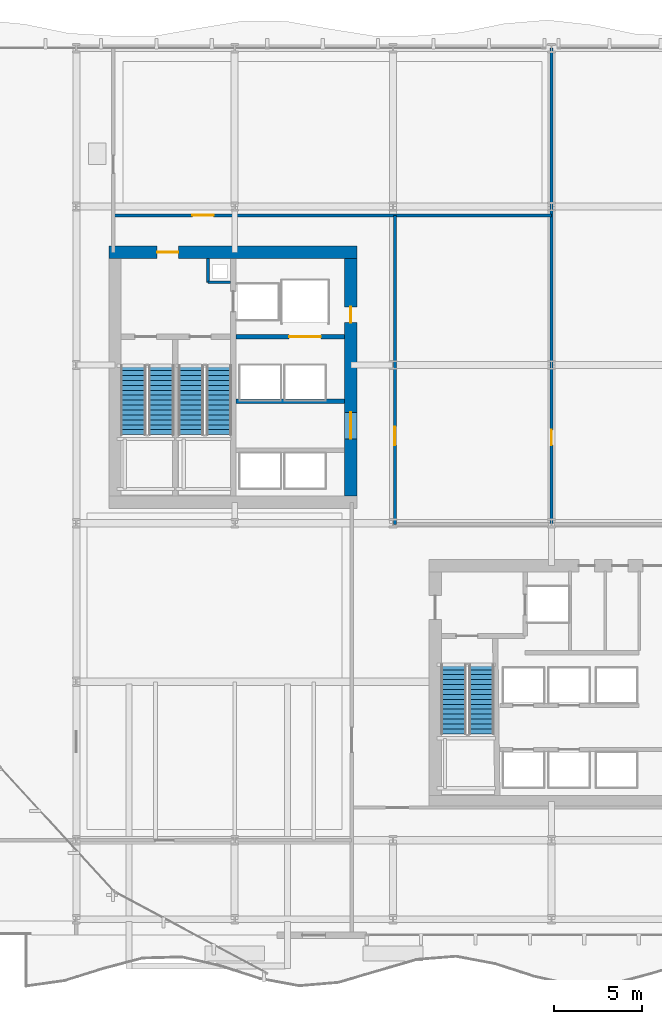
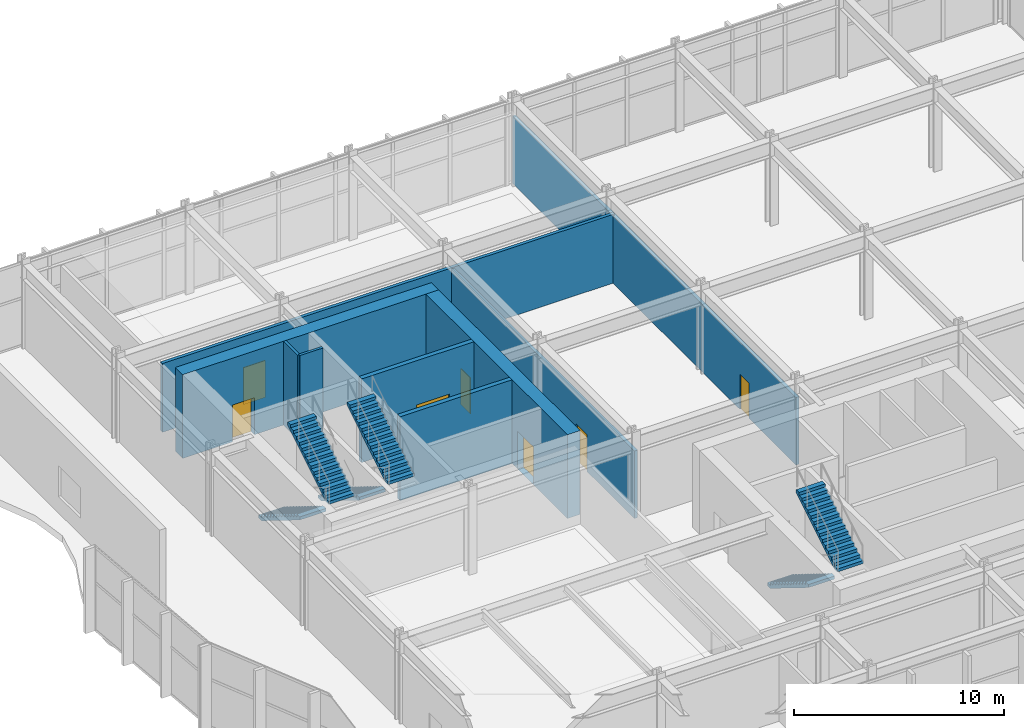
# One storey, part 24 of 31: 9 walls, 7 doors, 6 stair flights, 7 openings, 3 elements without a shape of their own.
"""IFC4 building model written with IfcOpenShell, lengths in metres."""

from ifc_helpers import new_model, si_unit, direction, frame, frame_2d, origin, place, context, subcontext, project, spatial, polyline, rectangle, outline, extrude, material, layer, layer_set, type_object, element, fill, aggregate, save


model = new_model("IFC4")

# Units and contexts
model_context = context("Model", 3, precision=1e-05, world=origin(), true_north=direction((0.0, 1.0)))
body_context = subcontext(model_context, "Body", "Model", "MODEL_VIEW")
ifc_project = project(units=[si_unit("LENGTHUNIT", "METRE"), si_unit("AREAUNIT", "SQUARE_METRE"), si_unit("VOLUMEUNIT", "CUBIC_METRE"), si_unit("PLANEANGLEUNIT", "RADIAN"), si_unit("MASSUNIT", "GRAM", prefix="KILO")], contexts=[model_context])

# Site, building, storey
site_placement = place(None, origin())
site = spatial("IfcSite", under=ifc_project, at=site_placement, CompositionType="ELEMENT")
building_placement = place(site_placement, origin())
building = spatial("IfcBuilding", under=site, at=building_placement, Name="Solvaryn Broadcast Tower", CompositionType="ELEMENT")
storey_placement = place(building_placement, frame((0.0, 0.0, 11.0)))
storey = spatial("IfcBuildingStorey", under=building, at=storey_placement, Name="L02", CompositionType="ELEMENT", Elevation=11.0)

# Wall, opening, door
ifc_material_1 = material(Name="Concrete f'c 70 MPa", Category="concrete")
ifc_layer_1 = layer(ifc_material_1, 0.699951171875)
ifc_layer_set_1 = layer_set([ifc_layer_1], Name="CW-SHEAR-700")
wall_type_1 = type_object("IfcWallType", Name="CW-SHEAR-700", PredefinedType="SHEAR", material=ifc_layer_set_1)
wall_1_placement = place(storey_placement, frame((24.949951171875, 42.39990234375, 0.0), z_axis=(0.0, 0.0, 1.0), x_axis=(-1.0, 0.0, 0.0)))
wall_1 = element("IfcWall", 1, at=wall_1_placement, inside=storey, type_object=wall_type_1, Name="L02 West Core North Shear Wall", PredefinedType="SHEAR", context=body_context, shape_type="SweptSolid", body=[
    extrude(rectangle(XDim=14.099853515625, YDim=0.699951171875, at=frame_2d((7.0498046875, 0.0))), origin(), (0.0, 0.0, 1.0), 4.8798828125),
])
opening_1_placement = place(wall_1_placement, frame((10.14990234375, 0.0, 0.0)))
opening_1 = element("IfcOpeningElement", 2, at=opening_1_placement, cuts=wall_1, Name="Opening FD90A", PredefinedType="OPENING", context=body_context, shape_type="SweptSolid", body=[
    extrude(rectangle(XDim=1.199951171875, YDim=2.14990234375, at=frame_2d((0.60009765625, 1.074951171875))), frame((0.0, 0.360107421875, 0.0), z_axis=(0.0, -1.0, 0.0), x_axis=(1.0, 0.0, 0.0)), (0.0, 0.0, 1.0), 0.719970703125),
])
ifc_material_2 = material(Name="Flush Acoustic Steel and Timber Door Assembly", Category="steel")
door_type_1 = type_object("IfcDoorType", Name="FD90-STAIR-1200X2150", OperationType="NOTDEFINED", PredefinedType="DOOR", material=ifc_material_2)
door_1_placement = place(opening_1_placement, origin())
door_1 = element("IfcDoor", 3, at=door_1_placement, inside=storey, type_object=door_type_1, Name="L02 West FSAE Lobby Corridor Door", OperationType="SINGLE_SWING_LEFT", OverallHeight=2.14990234375, OverallWidth=1.199951171875, PredefinedType="DOOR", context=body_context, shape_type="SweptSolid", body=[
    extrude(rectangle(XDim=1.199951171875, YDim=2.14990234375, at=frame_2d((0.60009765625, 1.074951171875))), frame((0.0, 0.02490234375, 0.0), z_axis=(0.0, -1.0, 0.0), x_axis=(1.0, 0.0, 0.0)), (0.0, 0.0, 1.0), 0.050048828125),
])
fill(opening_1, door_1)

# Wall, openings, doors
wall_2_placement = place(storey_placement, frame((24.60009765625, 28.550048828125, 0.0), z_axis=(0.0, 0.0, 1.0), x_axis=(0.0, 1.0, 0.0)))
wall_2 = element("IfcWall", 4, at=wall_2_placement, inside=storey, type_object=wall_type_1, Name="L02 West Core East Shear Wall", PredefinedType="SHEAR", context=body_context, shape_type="SweptSolid", body=[
    extrude(rectangle(XDim=13.5, YDim=0.699951171875, at=frame_2d((6.75, 0.0))), origin(), (0.0, 0.0, 1.0), 4.8798828125),
])
opening_2_placement = place(wall_2_placement, frame((3.25, 0.0, 0.0)))
opening_2 = element("IfcOpeningElement", 5, at=opening_2_placement, cuts=wall_2, Name="Opening FD60A", PredefinedType="OPENING", context=body_context, shape_type="SweptSolid", body=[
    extrude(rectangle(XDim=1.5, YDim=2.199951171875, at=frame_2d((0.75, 1.10009765625))), frame((0.0, 0.360107421875, 0.0), z_axis=(0.0, -1.0, 0.0), x_axis=(1.0, 0.0, 0.0)), (0.0, 0.0, 1.0), 0.719970703125),
])
opening_3_placement = place(wall_2_placement, frame((9.85009765625, 0.0, 0.0)))
opening_3 = element("IfcOpeningElement", 6, at=opening_3_placement, cuts=wall_2, Name="Opening FD60C", PredefinedType="OPENING", context=body_context, shape_type="SweptSolid", body=[
    extrude(rectangle(XDim=0.89990234375, YDim=2.10009765625, at=frame_2d((0.449951171875, 1.050048828125))), frame((0.0, 0.360107421875, 0.0), z_axis=(0.0, -1.0, 0.0), x_axis=(1.0, 0.0, 0.0)), (0.0, 0.0, 1.0), 0.719970703125),
])
ifc_material_3 = material(Name="Flush Acoustic Steel and Timber Door Assembly", Category="steel")
door_type_2 = type_object("IfcDoorType", Name="FD60-CORR-1500X2200", OperationType="NOTDEFINED", PredefinedType="DOOR", material=ifc_material_3)
door_2_placement = place(opening_2_placement, origin())
door_2 = element("IfcDoor", 7, at=door_2_placement, inside=storey, type_object=door_type_2, Name="L02 West Elevator Lobby Corridor Door", OperationType="DOUBLE_DOOR_SINGLE_SWING", OverallHeight=2.199951171875, OverallWidth=1.5, PredefinedType="DOOR", context=body_context, shape_type="SweptSolid", body=[
    extrude(rectangle(XDim=1.5, YDim=2.199951171875, at=frame_2d((0.75, 1.10009765625))), frame((0.0, 0.02490234375, 0.0), z_axis=(0.0, -1.0, 0.0), x_axis=(1.0, 0.0, 0.0)), (0.0, 0.0, 1.0), 0.050048828125),
])
fill(opening_2, door_2)
ifc_material_4 = material(Name="Flush Acoustic Steel and Timber Door Assembly", Category="steel")
door_type_3 = type_object("IfcDoorType", Name="FD60-SERV-900X2100", OperationType="NOTDEFINED", PredefinedType="DOOR", material=ifc_material_4)
door_3_placement = place(opening_3_placement, origin())
door_3 = element("IfcDoor", 8, at=door_3_placement, inside=storey, type_object=door_type_3, Name="L02 West Core Service Door 1", OperationType="SINGLE_SWING_LEFT", OverallHeight=2.10009765625, OverallWidth=0.89990234375, PredefinedType="DOOR", context=body_context, shape_type="SweptSolid", body=[
    extrude(rectangle(XDim=0.89990234375, YDim=2.10009765625, at=frame_2d((0.449951171875, 1.050048828125))), frame((0.0, 0.02490234375, 0.0), z_axis=(0.0, -1.0, 0.0), x_axis=(1.0, 0.0, 0.0)), (0.0, 0.0, 1.0), 0.050048828125),
])
fill(opening_3, door_3)

# Walls
ifc_material_5 = material(Name="Metal-Stud Service Core Partition")
ifc_layer_2 = layer(ifc_material_5, 0.14990234375)
ifc_layer_set_2 = layer_set([ifc_layer_2], Name="IW-PART-150")
wall_type_2 = type_object("IfcWallType", Name="IW-PART-150", PredefinedType="PARTITIONING", material=ifc_layer_set_2)
wall_3_placement = place(storey_placement, frame((16.47998046875, 40.699951171875, 0.0), z_axis=(0.0, 0.0, 1.0), x_axis=(1.0, 0.0, 0.0)))
element("IfcWall", 9, at=wall_3_placement, inside=storey, type_object=wall_type_2, Name="L02 West Core Riser Shaft South Wall", PredefinedType="PARTITIONING", context=body_context, shape_type="SweptSolid", body=[
    extrude(rectangle(XDim=1.2900390625, YDim=0.14990234375, at=frame_2d((0.64501953125, 0.0))), origin(), (0.0, 0.0, 1.0), 4.8798828125),
])
wall_4_placement = place(storey_placement, frame((16.47998046875, 40.699951171875, 0.0), z_axis=(0.0, 0.0, 1.0), x_axis=(0.0, 1.0, 0.0)))
element("IfcWall", 10, at=wall_4_placement, inside=storey, type_object=wall_type_2, Name="L02 West Core Riser Shaft West Wall", PredefinedType="PARTITIONING", context=body_context, shape_type="SweptSolid", body=[
    extrude(rectangle(XDim=1.35009765625, YDim=0.14990234375, at=frame_2d((0.675048828125, 0.0))), origin(), (0.0, 0.0, 1.0), 4.8798828125),
])

# Wall, opening, door
ifc_material_6 = material(Name="Acoustic Metal-Stud Gypsum Partition")
ifc_layer_3 = layer(ifc_material_6, 0.179931640625)
ifc_layer_set_3 = layer_set([ifc_layer_3], Name="IW-PART-180")
wall_type_3 = type_object("IfcWallType", Name="IW-PART-180", PredefinedType="PARTITIONING", material=ifc_layer_set_3)
wall_5_placement = place(storey_placement, frame((27.10009765625, 26.949951171875, 0.0), z_axis=(0.0, 0.0, 1.0), x_axis=(0.0, 1.0, 0.0)))
wall_5 = element("IfcWall", 11, at=wall_5_placement, inside=storey, type_object=wall_type_3, Name="L02 Interior Partition IW-L02-PW6", PredefinedType="PARTITIONING", context=body_context, shape_type="SweptSolid", body=[
    extrude(rectangle(XDim=17.550048828125, YDim=0.179931640625, at=frame_2d((8.77490234375, 0.0))), origin(), (0.0, 0.0, 1.0), 3.93310546875),
])
opening_4_placement = place(wall_5_placement, frame((4.5, 0.0, 0.0)))
opening_4 = element("IfcOpeningElement", 12, at=opening_4_placement, cuts=wall_5, Name="Opening ID03", PredefinedType="OPENING", context=body_context, shape_type="SweptSolid", body=[
    extrude(rectangle(XDim=1.050048828125, YDim=2.14990234375, at=frame_2d((0.52490234375, 1.074951171875))), frame((0.0, 0.099853515625, 0.0), z_axis=(0.0, -1.0, 0.0), x_axis=(1.0, 0.0, 0.0)), (0.0, 0.0, 1.0), 0.199951171875),
])
ifc_material_7 = material(Name="Flush Acoustic Steel and Timber Door Assembly", Category="steel")
door_type_4 = type_object("IfcDoorType", Name="ID-03-1050X2150", OperationType="NOTDEFINED", PredefinedType="DOOR", material=ifc_material_7)
door_4_placement = place(opening_4_placement, origin())
door_4 = element("IfcDoor", 13, at=door_4_placement, inside=storey, type_object=door_type_4, Name="L02 Door DR-L02-PD4", OperationType="SINGLE_SWING_LEFT", OverallHeight=2.14990234375, OverallWidth=1.050048828125, PredefinedType="DOOR", context=body_context, shape_type="SweptSolid", body=[
    extrude(rectangle(XDim=1.050048828125, YDim=2.14990234375, at=frame_2d((0.52490234375, 1.074951171875))), frame((0.0, 0.02490234375, 0.0), z_axis=(0.0, -1.0, 0.0), x_axis=(1.0, 0.0, 0.0)), (0.0, 0.0, 1.0), 0.050048828125),
])
fill(opening_4, door_4)

wall_6_placement = place(storey_placement, frame((11.10009765625, 44.5, 0.0), z_axis=(0.0, 0.0, 1.0), x_axis=(1.0, 0.0, 0.0)))
wall_6 = element("IfcWall", 14, at=wall_6_placement, inside=storey, type_object=wall_type_3, Name="L02 Interior Partition IW-L02-PW7", PredefinedType="PARTITIONING", context=body_context, shape_type="SweptSolid", body=[
    extrude(rectangle(XDim=24.89990234375, YDim=0.179931640625, at=frame_2d((12.449951171875, 0.0))), origin(), (0.0, 0.0, 1.0), 4.0048828125),
])
opening_5_placement = place(wall_6_placement, frame((4.5, 0.0, 0.0)))
opening_5 = element("IfcOpeningElement", 15, at=opening_5_placement, cuts=wall_6, Name="Opening ID04", PredefinedType="OPENING", context=body_context, shape_type="SweptSolid", body=[
    extrude(rectangle(XDim=1.199951171875, YDim=2.14990234375, at=frame_2d((0.60009765625, 1.074951171875))), frame((0.0, 0.099853515625, 0.0), z_axis=(0.0, -1.0, 0.0), x_axis=(1.0, 0.0, 0.0)), (0.0, 0.0, 1.0), 0.199951171875),
])
ifc_material_8 = material(Name="Flush Acoustic Steel and Timber Door Assembly", Category="steel")
door_type_5 = type_object("IfcDoorType", Name="ID-04-1200X2150", OperationType="NOTDEFINED", PredefinedType="DOOR", material=ifc_material_8)
door_5_placement = place(opening_5_placement, origin())
door_5 = element("IfcDoor", 16, at=door_5_placement, inside=storey, type_object=door_type_5, Name="L02 Door DR-L02-PD5", OperationType="SINGLE_SWING_RIGHT", OverallHeight=2.14990234375, OverallWidth=1.199951171875, PredefinedType="DOOR", context=body_context, shape_type="SweptSolid", body=[
    extrude(rectangle(XDim=1.199951171875, YDim=2.14990234375, at=frame_2d((0.60009765625, 1.074951171875))), frame((0.0, 0.02490234375, 0.0), z_axis=(0.0, -1.0, 0.0), x_axis=(1.0, 0.0, 0.0)), (0.0, 0.0, 1.0), 0.050048828125),
])
fill(opening_5, door_5)

wall_7_placement = place(storey_placement, frame((36.0, 26.949951171875, 0.0), z_axis=(0.0, 0.0, 1.0), x_axis=(0.0, 1.0, 0.0)))
wall_7 = element("IfcWall", 17, at=wall_7_placement, inside=storey, type_object=wall_type_3, Name="L02 Interior Partition IW-L02-PW8", PredefinedType="PARTITIONING", context=body_context, shape_type="SweptSolid", body=[
    extrude(rectangle(XDim=27.050048828125, YDim=0.179931640625, at=frame_2d((13.52490234375, 0.0))), origin(), (0.0, 0.0, 1.0), 3.93310546875),
])
opening_6_placement = place(wall_7_placement, frame((4.5, 0.0, 0.0)))
opening_6 = element("IfcOpeningElement", 18, at=opening_6_placement, cuts=wall_7, Name="Opening ID07", PredefinedType="OPENING", context=body_context, shape_type="SweptSolid", body=[
    extrude(rectangle(XDim=0.860107421875, YDim=2.050048828125, at=frame_2d((0.43017578125, 1.02490234375))), frame((0.0, 0.099853515625, 0.0), z_axis=(0.0, -1.0, 0.0), x_axis=(1.0, 0.0, 0.0)), (0.0, 0.0, 1.0), 0.199951171875),
])
ifc_material_9 = material(Name="Flush Acoustic Steel and Timber Door Assembly", Category="steel")
door_type_6 = type_object("IfcDoorType", Name="ID-07-860X2050", OperationType="NOTDEFINED", PredefinedType="DOOR", material=ifc_material_9)
door_6_placement = place(opening_6_placement, origin())
door_6 = element("IfcDoor", 19, at=door_6_placement, inside=storey, type_object=door_type_6, Name="L02 Door DR-L02-PD6", OperationType="SINGLE_SWING_LEFT", OverallHeight=2.050048828125, OverallWidth=0.860107421875, PredefinedType="DOOR", context=body_context, shape_type="SweptSolid", body=[
    extrude(rectangle(XDim=0.860107421875, YDim=2.050048828125, at=frame_2d((0.43017578125, 1.02490234375))), frame((0.0, 0.02490234375, 0.0), z_axis=(0.0, -1.0, 0.0), x_axis=(1.0, 0.0, 0.0)), (0.0, 0.0, 1.0), 0.050048828125),
])
fill(opening_6, door_6)

ifc_material_10 = material(Name="Concrete f'c 60 MPa", Category="concrete")
ifc_layer_4 = layer(ifc_material_10, 0.25)
ifc_layer_set_4 = layer_set([ifc_layer_4], Name="SW-SHAFT-250")
wall_type_4 = type_object("IfcWallType", Name="SW-SHAFT-250", PredefinedType="PARTITIONING", material=ifc_layer_set_4)
wall_8_placement = place(storey_placement, frame((18.070068359375, 37.60009765625, 0.0), z_axis=(0.0, 0.0, 1.0), x_axis=(1.0, 0.0, 0.0)))
wall_8 = element("IfcWall", 20, at=wall_8_placement, inside=storey, type_object=wall_type_4, Name="L02 West Core FSAE Hoistway Front Wall", PredefinedType="PARTITIONING", context=body_context, shape_type="SweptSolid", body=[
    extrude(rectangle(XDim=6.179931640625, YDim=0.25, at=frame_2d((3.08984375, 0.0))), origin(), (0.0, 0.0, 1.0), 4.8798828125),
])
opening_7_placement = place(wall_8_placement, frame((3.030029296875, 0.0, 0.0)))
opening_7 = element("IfcOpeningElement", 21, at=opening_7_placement, cuts=wall_8, Name="Opening LD02", PredefinedType="OPENING", context=body_context, shape_type="SweptSolid", body=[
    extrude(rectangle(XDim=1.800048828125, YDim=2.300048828125, at=frame_2d((0.89990234375, 1.14990234375))), frame((0.0, 0.135009765625, 0.0), z_axis=(0.0, -1.0, 0.0), x_axis=(1.0, 0.0, 0.0)), (0.0, 0.0, 1.0), 0.27001953125),
])
ifc_material_11 = material(Name="Flush Acoustic Steel and Timber Door Assembly", Category="steel")
door_type_7 = type_object("IfcDoorType", Name="LD-FREIGHT-1800X2300", OperationType="NOTDEFINED", PredefinedType="DOOR", material=ifc_material_11)
door_7_placement = place(opening_7_placement, origin())
door_7 = element("IfcDoor", 22, at=door_7_placement, inside=storey, type_object=door_type_7, Name="L02 SV1 Freight Lift Landing Door", OperationType="DOUBLE_DOOR_SLIDING", OverallHeight=2.300048828125, OverallWidth=1.800048828125, PredefinedType="DOOR", context=body_context, shape_type="SweptSolid", body=[
    extrude(rectangle(XDim=1.800048828125, YDim=2.300048828125, at=frame_2d((0.89990234375, 1.14990234375))), frame((0.0, 0.02490234375, 0.0), z_axis=(0.0, -1.0, 0.0), x_axis=(1.0, 0.0, 0.0)), (0.0, 0.0, 1.0), 0.050048828125),
])
fill(opening_7, door_7)

# Wall
wall_9_placement = place(storey_placement, frame((24.25, 33.949951171875, 0.0), z_axis=(0.0, 0.0, 1.0), x_axis=(-1.0, 0.0, 0.0)))
element("IfcWall", 23, at=wall_9_placement, inside=storey, type_object=wall_type_4, Name="L02 High-Rise Lift Bank North Wall", PredefinedType="PARTITIONING", context=body_context, shape_type="SweptSolid", body=[
    extrude(rectangle(XDim=6.179931640625, YDim=0.25, at=frame_2d((3.08984375, 0.0))), origin(), (0.0, 0.0, 1.0), 4.8798828125),
])

# Stair, stair flights
ifc_material_12 = material(Name="Concrete f'c 60 MPa", Category="concrete")
stair_type = type_object("IfcStairType", Name="ST-CORE", PredefinedType="HALF_TURN_STAIR", material=ifc_material_12)
stair_1_placement = place(storey_placement, origin())
stair_1 = element("IfcStair", 24, at=stair_1_placement, inside=storey, type_object=stair_type, Name="L02 ST1", PredefinedType="HALF_TURN_STAIR")
ifc_material_13 = material(Name="Concrete f'c 60 MPa", Category="concrete")
ifc_layer_5 = layer(ifc_material_13, 0.159912109375)
ifc_layer_set_5 = layer_set([ifc_layer_5], Name="SF-CORE")
stair_flight_type = type_object("IfcStairFlightType", Name="SF-CORE", PredefinedType="STRAIGHT", material=ifc_layer_set_5)
stair_flight_1_placement = place(storey_placement, frame((12.239990234375, 35.9599609375, 0.0), z_axis=(0.0, 0.0, 1.0), x_axis=(0.0, -1.0, 0.0)))
stair_flight_1 = element("IfcStairFlight", 25, at=stair_flight_1_placement, type_object=stair_flight_type, Name="ST1 flight 1", NumberOfRisers=15, NumberOfTreads=14, PredefinedType="STRAIGHT", RiserHeight=0.173333333, TreadLength=0.28, context=body_context, shape_type="SweptSolid", body=[
    extrude(outline(polyline([(0.0, 0.0), (0.0, 0.17333984375), (0.280029296875, 0.17333984375), (0.280029296875, 0.3466796875), (0.56005859375, 0.3466796875), (0.56005859375, 0.52001953125), (0.840087890625, 0.52001953125), (0.840087890625, 0.693359375), (1.1201171875, 0.693359375), (1.1201171875, 0.86669921875), (1.39990234375, 0.86669921875), (1.39990234375, 1.0400390625), (1.679931640625, 1.0400390625), (1.679931640625, 1.21337890625), (1.9599609375, 1.21337890625), (1.9599609375, 1.38671875), (2.239990234375, 1.38671875), (2.239990234375, 1.56005859375), (2.52001953125, 1.56005859375), (2.52001953125, 1.7333984375), (2.800048828125, 1.7333984375), (2.800048828125, 1.90673828125), (3.080078125, 1.90673828125), (3.080078125, 2.080078125), (3.360107421875, 2.080078125), (3.360107421875, 2.25341796875), (3.639892578125, 2.25341796875), (3.639892578125, 2.4267578125), (3.919921875, 2.4267578125), (3.919921875, 2.60009765625), (3.919921875, 2.250244140625), (0.284912109375, 0.0), (0.0, 0.0)])), frame((0.0, 0.719970703125, 0.0), z_axis=(0.0, -1.0, 0.0), x_axis=(1.0, 0.0, 0.0)), (0.0, 0.0, 1.0), 1.43994140625),
])
stair_flight_2_placement = place(storey_placement, frame((13.830078125, 32.0400390625, 2.60009765625), z_axis=(0.0, 0.0, 1.0), x_axis=(0.0, 1.0, 0.0)))
stair_flight_2 = element("IfcStairFlight", 26, at=stair_flight_2_placement, type_object=stair_flight_type, Name="ST1 flight 2", NumberOfRisers=15, NumberOfTreads=14, PredefinedType="STRAIGHT", RiserHeight=0.173333333, TreadLength=0.28, context=body_context, shape_type="SweptSolid", body=[
    extrude(outline(polyline([(0.0, 0.0), (0.0, 0.17333984375), (0.280029296875, 0.17333984375), (0.280029296875, 0.3466796875), (0.56005859375, 0.3466796875), (0.56005859375, 0.52001953125), (0.840087890625, 0.52001953125), (0.840087890625, 0.693359375), (1.1201171875, 0.693359375), (1.1201171875, 0.86669921875), (1.39990234375, 0.86669921875), (1.39990234375, 1.0400390625), (1.679931640625, 1.0400390625), (1.679931640625, 1.21337890625), (1.9599609375, 1.21337890625), (1.9599609375, 1.38671875), (2.239990234375, 1.38671875), (2.239990234375, 1.56005859375), (2.52001953125, 1.56005859375), (2.52001953125, 1.7333984375), (2.800048828125, 1.7333984375), (2.800048828125, 1.90673828125), (3.080078125, 1.90673828125), (3.080078125, 2.080078125), (3.360107421875, 2.080078125), (3.360107421875, 2.25341796875), (3.639892578125, 2.25341796875), (3.639892578125, 2.4267578125), (3.919921875, 2.4267578125), (3.919921875, 2.60009765625), (3.919921875, 2.250244140625), (0.284912109375, 0.0), (0.0, 0.0)])), frame((0.0, 0.719970703125, 0.0), z_axis=(0.0, -1.0, 0.0), x_axis=(1.0, 0.0, 0.0)), (0.0, 0.0, 1.0), 1.43994140625),
])
aggregate(stair_1, [stair_flight_1, stair_flight_2])

stair_2_placement = place(storey_placement, origin())
stair_2 = element("IfcStair", 27, at=stair_2_placement, inside=storey, type_object=stair_type, Name="L02 ST2", PredefinedType="HALF_TURN_STAIR")
stair_flight_3_placement = place(storey_placement, frame((15.52001953125, 35.9599609375, 0.0), z_axis=(0.0, 0.0, 1.0), x_axis=(0.0, -1.0, 0.0)))
stair_flight_3 = element("IfcStairFlight", 28, at=stair_flight_3_placement, type_object=stair_flight_type, Name="ST2 flight 1", NumberOfRisers=15, NumberOfTreads=14, PredefinedType="STRAIGHT", RiserHeight=0.173333333, TreadLength=0.28, context=body_context, shape_type="SweptSolid", body=[
    extrude(outline(polyline([(0.0, 0.0), (0.0, 0.17333984375), (0.280029296875, 0.17333984375), (0.280029296875, 0.3466796875), (0.56005859375, 0.3466796875), (0.56005859375, 0.52001953125), (0.840087890625, 0.52001953125), (0.840087890625, 0.693359375), (1.1201171875, 0.693359375), (1.1201171875, 0.86669921875), (1.39990234375, 0.86669921875), (1.39990234375, 1.0400390625), (1.679931640625, 1.0400390625), (1.679931640625, 1.21337890625), (1.9599609375, 1.21337890625), (1.9599609375, 1.38671875), (2.239990234375, 1.38671875), (2.239990234375, 1.56005859375), (2.52001953125, 1.56005859375), (2.52001953125, 1.7333984375), (2.800048828125, 1.7333984375), (2.800048828125, 1.90673828125), (3.080078125, 1.90673828125), (3.080078125, 2.080078125), (3.360107421875, 2.080078125), (3.360107421875, 2.25341796875), (3.639892578125, 2.25341796875), (3.639892578125, 2.4267578125), (3.919921875, 2.4267578125), (3.919921875, 2.60009765625), (3.919921875, 2.250244140625), (0.284912109375, 0.0), (0.0, 0.0)])), frame((0.0, 0.719970703125, 0.0), z_axis=(0.0, -1.0, 0.0), x_axis=(1.0, 0.0, 0.0)), (0.0, 0.0, 1.0), 1.43994140625),
])
stair_flight_4_placement = place(storey_placement, frame((17.110107421875, 32.0400390625, 2.60009765625), z_axis=(0.0, 0.0, 1.0), x_axis=(0.0, 1.0, 0.0)))
stair_flight_4 = element("IfcStairFlight", 29, at=stair_flight_4_placement, type_object=stair_flight_type, Name="ST2 flight 2", NumberOfRisers=15, NumberOfTreads=14, PredefinedType="STRAIGHT", RiserHeight=0.173333333, TreadLength=0.28, context=body_context, shape_type="SweptSolid", body=[
    extrude(outline(polyline([(0.0, 0.0), (0.0, 0.17333984375), (0.280029296875, 0.17333984375), (0.280029296875, 0.3466796875), (0.56005859375, 0.3466796875), (0.56005859375, 0.52001953125), (0.840087890625, 0.52001953125), (0.840087890625, 0.693359375), (1.1201171875, 0.693359375), (1.1201171875, 0.86669921875), (1.39990234375, 0.86669921875), (1.39990234375, 1.0400390625), (1.679931640625, 1.0400390625), (1.679931640625, 1.21337890625), (1.9599609375, 1.21337890625), (1.9599609375, 1.38671875), (2.239990234375, 1.38671875), (2.239990234375, 1.56005859375), (2.52001953125, 1.56005859375), (2.52001953125, 1.7333984375), (2.800048828125, 1.7333984375), (2.800048828125, 1.90673828125), (3.080078125, 1.90673828125), (3.080078125, 2.080078125), (3.360107421875, 2.080078125), (3.360107421875, 2.25341796875), (3.639892578125, 2.25341796875), (3.639892578125, 2.4267578125), (3.919921875, 2.4267578125), (3.919921875, 2.60009765625), (3.919921875, 2.250244140625), (0.284912109375, 0.0), (0.0, 0.0)])), frame((0.0, 0.719970703125, 0.0), z_axis=(0.0, -1.0, 0.0), x_axis=(1.0, 0.0, 0.0)), (0.0, 0.0, 1.0), 1.43994140625),
])
aggregate(stair_2, [stair_flight_3, stair_flight_4])

stair_3_placement = place(storey_placement, origin())
stair_3 = element("IfcStair", 30, at=stair_3_placement, inside=storey, type_object=stair_type, Name="L02 ST3", PredefinedType="HALF_TURN_STAIR")
stair_flight_5_placement = place(storey_placement, frame((30.43994140625, 18.9599609375, 0.0), z_axis=(0.0, 0.0, 1.0), x_axis=(0.0, -1.0, 0.0)))
stair_flight_5 = element("IfcStairFlight", 31, at=stair_flight_5_placement, type_object=stair_flight_type, Name="ST3 flight 1", NumberOfRisers=15, NumberOfTreads=14, PredefinedType="STRAIGHT", RiserHeight=0.173333333, TreadLength=0.28, context=body_context, shape_type="SweptSolid", body=[
    extrude(outline(polyline([(0.0, 0.0), (0.0, 0.17333984375), (0.280029296875, 0.17333984375), (0.280029296875, 0.3466796875), (0.56005859375, 0.3466796875), (0.56005859375, 0.52001953125), (0.840087890625, 0.52001953125), (0.840087890625, 0.693359375), (1.1201171875, 0.693359375), (1.1201171875, 0.86669921875), (1.39990234375, 0.86669921875), (1.39990234375, 1.0400390625), (1.679931640625, 1.0400390625), (1.679931640625, 1.21337890625), (1.9599609375, 1.21337890625), (1.9599609375, 1.38671875), (2.239990234375, 1.38671875), (2.239990234375, 1.56005859375), (2.52001953125, 1.56005859375), (2.52001953125, 1.7333984375), (2.800048828125, 1.7333984375), (2.800048828125, 1.90673828125), (3.080078125, 1.90673828125), (3.080078125, 2.080078125), (3.360107421875, 2.080078125), (3.360107421875, 2.25341796875), (3.639892578125, 2.25341796875), (3.639892578125, 2.4267578125), (3.919921875, 2.4267578125), (3.919921875, 2.60009765625), (3.919921875, 2.250244140625), (0.284912109375, 0.0), (0.0, 0.0)])), frame((0.0, 0.719970703125, 0.0), z_axis=(0.0, -1.0, 0.0), x_axis=(1.0, 0.0, 0.0)), (0.0, 0.0, 1.0), 1.43994140625),
])
stair_flight_6_placement = place(storey_placement, frame((32.030029296875, 15.0400390625, 2.60009765625), z_axis=(0.0, 0.0, 1.0), x_axis=(0.0, 1.0, 0.0)))
stair_flight_6 = element("IfcStairFlight", 32, at=stair_flight_6_placement, type_object=stair_flight_type, Name="ST3 flight 2", NumberOfRisers=15, NumberOfTreads=14, PredefinedType="STRAIGHT", RiserHeight=0.173333333, TreadLength=0.28, context=body_context, shape_type="SweptSolid", body=[
    extrude(outline(polyline([(0.0, 0.0), (0.0, 0.17333984375), (0.280029296875, 0.17333984375), (0.280029296875, 0.3466796875), (0.56005859375, 0.3466796875), (0.56005859375, 0.52001953125), (0.840087890625, 0.52001953125), (0.840087890625, 0.693359375), (1.1201171875, 0.693359375), (1.1201171875, 0.86669921875), (1.39990234375, 0.86669921875), (1.39990234375, 1.0400390625), (1.679931640625, 1.0400390625), (1.679931640625, 1.21337890625), (1.9599609375, 1.21337890625), (1.9599609375, 1.38671875), (2.239990234375, 1.38671875), (2.239990234375, 1.56005859375), (2.52001953125, 1.56005859375), (2.52001953125, 1.7333984375), (2.800048828125, 1.7333984375), (2.800048828125, 1.90673828125), (3.080078125, 1.90673828125), (3.080078125, 2.080078125), (3.360107421875, 2.080078125), (3.360107421875, 2.25341796875), (3.639892578125, 2.25341796875), (3.639892578125, 2.4267578125), (3.919921875, 2.4267578125), (3.919921875, 2.60009765625), (3.919921875, 2.250244140625), (0.284912109375, 0.0), (0.0, 0.0)])), frame((0.0, 0.719970703125, 0.0), z_axis=(0.0, -1.0, 0.0), x_axis=(1.0, 0.0, 0.0)), (0.0, 0.0, 1.0), 1.43994140625),
])
aggregate(stair_3, [stair_flight_5, stair_flight_6])

save(model, "model.ifc")
